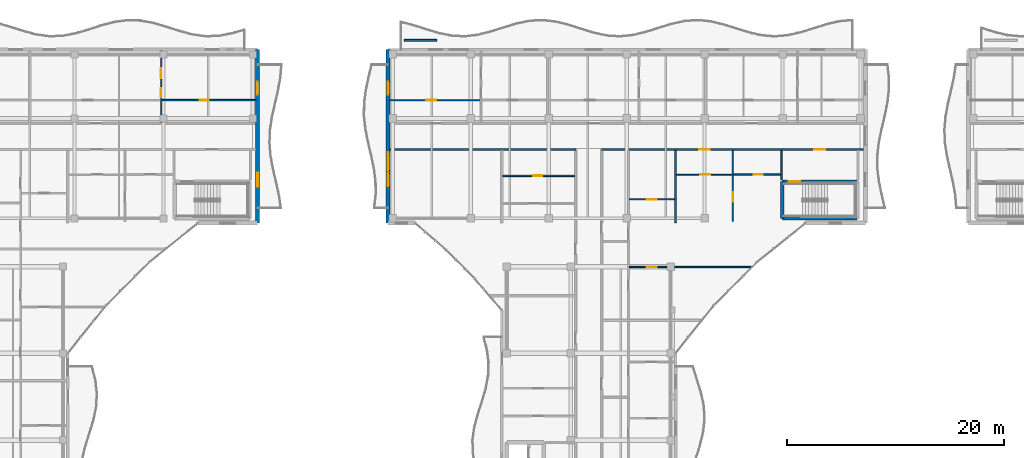
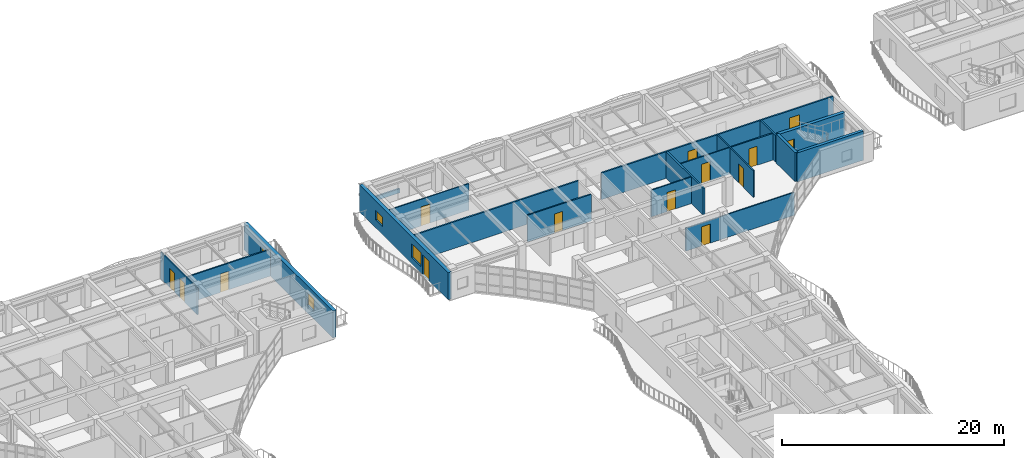
# One storey, part 93 of 128: 19 walls, 15 doors, 3 windows, 18 openings.
"""IFC4 building model written with IfcOpenShell, lengths in metres."""

import ifcopenshell
import ifcopenshell.guid

model = None  # the IFC model being written
_history = None  # IfcOwnerHistory: only IFC2X3 demands one
_inside = {}  # id of a spatial element -> (the spatial element, [elements in it])
_under = {}  # id of a project, library or spatial element -> (it, [spatial elements below it])
_declared = {}  # id of a project -> (the project, [libraries it declares])
_typed = {}  # id of a type object -> (the type object, [elements of that type])
_made_of = {}  # id of a material, layer set ... -> (it, [elements and type objects made of it])


def new_model(schema):
    """Start an empty IFC model of exactly this schema.

    Asked for "IFC4X3", IfcOpenShell would pick the latest addendum, in which some entities
    have other attributes; the version numbers below select the first issue.
    IFC2X3 requires an IfcOwnerHistory on every rooted entity: one is made here for all.
    """
    global model, _history
    if schema == "IFC4X3":
        model = ifcopenshell.file(schema_version=(4, 3, 0, 0))
    else:
        model = ifcopenshell.file(schema=schema)
    _inside.clear()
    _under.clear()
    _declared.clear()
    _typed.clear()
    _made_of.clear()
    _history = None
    if model.schema == "IFC2X3":
        org = make("IfcOrganization", Name="unknown")
        user = make(
            "IfcPersonAndOrganization",
            ThePerson=make("IfcPerson", FamilyName="unknown"),
            TheOrganization=org,
        )
        app = make(
            "IfcApplication",
            ApplicationDeveloper=org,
            Version="unknown",
            ApplicationFullName="unknown",
            ApplicationIdentifier="unknown",
        )
        _history = make(
            "IfcOwnerHistory",
            OwningUser=user,
            OwningApplication=app,
            ChangeAction="ADDED",
            CreationDate=0,
        )
    return model


def make(cls, **values):
    """One entity of the class cls with the attributes given. An attribute that is None is left unset."""
    return model.create_entity(
        cls, **{name: value for name, value in values.items() if value is not None}
    )


def rooted(cls, **values):
    """An entity with a GlobalId (a new one), such as an element, a storey or a relation."""
    return make(cls, GlobalId=ifcopenshell.guid.new(), OwnerHistory=_history, **values)


def si_unit(unit_type, name, prefix=None):
    """IfcSIUnit, for example si_unit("LENGTHUNIT", "METRE", prefix="MILLI")."""
    return make("IfcSIUnit", UnitType=unit_type, Prefix=prefix, Name=name)


def assignment(units):
    """IfcUnitAssignment: the units of a project."""
    return None if units is None else make("IfcUnitAssignment", Units=units)


def point(xyz):
    """IfcCartesianPoint."""
    return None if xyz is None else make("IfcCartesianPoint", Coordinates=xyz)


def direction(xyz):
    """IfcDirection."""
    return None if xyz is None else make("IfcDirection", DirectionRatios=xyz)


def frame(location, z_axis=None, x_axis=None):
    """IfcAxis2Placement3D, a coordinate frame: its origin and axes. An axis left out is left unset."""
    return make(
        "IfcAxis2Placement3D",
        Location=point(location),
        Axis=direction(z_axis),
        RefDirection=direction(x_axis),
    )


def frame_2d(location, x_axis=None):
    """IfcAxis2Placement2D, a coordinate frame in the plane: its origin and x axis."""
    return make(
        "IfcAxis2Placement2D", Location=point(location), RefDirection=direction(x_axis)
    )


def origin():
    """The frame at (0, 0, 0) with its axes left unset."""
    return frame((0.0, 0.0, 0.0))


def place(relative_to, where):
    """IfcLocalPlacement: puts the frame where relative to a parent placement (None: the world)."""
    return make(
        "IfcLocalPlacement", PlacementRelTo=relative_to, RelativePlacement=where
    )


def context(
    kind, dimensions, precision=None, world=None, true_north=None, identifier=None
):
    """IfcGeometricRepresentationContext, for example the 3D "Model" context."""
    return make(
        "IfcGeometricRepresentationContext",
        ContextIdentifier=identifier,
        ContextType=kind,
        CoordinateSpaceDimension=dimensions,
        Precision=precision,
        WorldCoordinateSystem=world,
        TrueNorth=true_north,
    )


def subcontext(parent, identifier, kind, view, scale=None):
    """IfcGeometricRepresentationSubContext, for example "Body" below "Model"."""
    return make(
        "IfcGeometricRepresentationSubContext",
        ContextIdentifier=identifier,
        ContextType=kind,
        ParentContext=parent,
        TargetScale=scale,
        TargetView=view,
    )


def project(units=None, contexts=None):
    """IfcProject with its units and contexts."""
    return rooted(
        "IfcProject",
        Name="project",
        RepresentationContexts=contexts,
        UnitsInContext=assignment(units),
    )


def spatial(cls, under=None, at=None, **own):
    """A site, building, storey or space (cls), placed at a placement, below another one or the project."""
    s = rooted(cls, ObjectPlacement=at, **own)
    if under is not None:
        _under.setdefault(under.id(), (under, []))[1].append(s)
    return s


def profile(cls, at=None, kind="AREA", **sizes):
    """A parametric profile (cls). Its sizes go by their IFC names, for example OverallWidth=200.0."""
    return make(cls, ProfileType=kind, Position=at, **sizes)


def rectangle(**sizes):
    """IfcRectangleProfileDef."""
    return profile("IfcRectangleProfileDef", **sizes)


def extrude(swept, where, along, depth):
    """IfcExtrudedAreaSolid: the profile swept, set in the frame where, extruded along a direction by depth."""
    return make(
        "IfcExtrudedAreaSolid",
        SweptArea=swept,
        Position=where,
        ExtrudedDirection=direction(along),
        Depth=depth,
    )


def shape(context_of_items, identifier, shape_type, items):
    """IfcShapeRepresentation: the items that make up one representation, for example the "Body"."""
    return make(
        "IfcShapeRepresentation",
        ContextOfItems=context_of_items,
        RepresentationIdentifier=identifier,
        RepresentationType=shape_type,
        Items=items,
    )


def material(Name=None, Category=None):
    """IfcMaterial."""
    return make("IfcMaterial", Name=Name, Category=Category)


def layer(
    of_material, thickness, ventilated=None, Name=None, Category=None, Priority=None
):
    """IfcMaterialLayer: one layer of a wall or slab, of a material (None: an air gap)."""
    return make(
        "IfcMaterialLayer",
        Material=of_material,
        LayerThickness=thickness,
        IsVentilated=ventilated,
        Name=Name,
        Category=Category,
        Priority=Priority,
    )


def layer_set(layers, Name=None):
    """IfcMaterialLayerSet."""
    return make("IfcMaterialLayerSet", MaterialLayers=layers, LayerSetName=Name)


def made_of(thing, what):
    """Note that an element or type object is made of a material, layer set ...; save() writes the relation."""
    if what is not None:
        _made_of.setdefault(what.id(), (what, []))[1].append(thing)
    return thing


def type_object(cls, material=None, **own):
    """A type object (cls), such as IfcWallType, which elements share."""
    return made_of(rooted(cls, **own), material)


def element(
    cls,
    number,
    at=None,
    inside=None,
    cuts=None,
    type_object=None,
    material=None,
    context=None,
    identifier="Body",
    shape_type=None,
    held_by="IfcProductDefinitionShape",
    body=None,
    shapes=None,
    **own,
):
    """One element of the class cls, such as IfcWall. Its Tag is "e" and its number.

    at: its placement. inside: the storey or other place that contains it. cuts: it is an
    opening in that element (IfcRelVoidsElement). A single representation is given by context,
    identifier, shape_type and body (its items); several are given by shapes. held_by: the class
    of the entity that holds the representations. save() writes the other relations.
    """
    e = rooted(cls, Tag="e%d" % number, ObjectPlacement=at, **own)
    if body is not None:
        shapes = [shape(context, identifier, shape_type, body)]
    if shapes is not None:
        e.Representation = make(held_by, Representations=shapes)
    if inside is not None:
        _inside.setdefault(inside.id(), (inside, []))[1].append(e)
    if cuts is not None:
        rooted(
            "IfcRelVoidsElement", RelatingBuildingElement=cuts, RelatedOpeningElement=e
        )
    if type_object is not None:
        _typed.setdefault(type_object.id(), (type_object, []))[1].append(e)
    return made_of(e, material)


def fill(opening, filler):
    """IfcRelFillsElement: the door or window that sits in an opening."""
    return rooted(
        "IfcRelFillsElement",
        RelatingOpeningElement=opening,
        RelatedBuildingElement=filler,
    )


def aggregate(whole, parts):
    """IfcRelAggregates: a whole, such as a stair, and the parts it consists of."""
    return rooted("IfcRelAggregates", RelatingObject=whole, RelatedObjects=parts)


def save(model, path):
    """Write the relations noted so far, then the file.

    IfcRelAggregates (storeys below a building ...), IfcRelContainedInSpatialStructure (elements
    in a storey), IfcRelDefinesByType, IfcRelAssociatesMaterial and IfcRelDeclares: one each for
    every whole, place, type object, material and project.
    """
    for whole, parts in _under.values():
        aggregate(whole, parts)
    for where, things in _inside.values():
        rooted(
            "IfcRelContainedInSpatialStructure",
            RelatedElements=things,
            RelatingStructure=where,
        )
    for kind, things in _typed.values():
        rooted("IfcRelDefinesByType", RelatedObjects=things, RelatingType=kind)
    for what, things in _made_of.values():
        rooted("IfcRelAssociatesMaterial", RelatedObjects=things, RelatingMaterial=what)
    for by, libraries in _declared.values():
        rooted("IfcRelDeclares", RelatingContext=by, RelatedDefinitions=libraries)
    model.write(path)


model = new_model("IFC4")

# Units and contexts
model_context = context("Model", 3, precision=1e-05, world=origin(), true_north=direction((0.0, 1.0)))
body_context = subcontext(model_context, "Body", "Model", "MODEL_VIEW")
ifc_project = project(units=[si_unit("LENGTHUNIT", "METRE"), si_unit("AREAUNIT", "SQUARE_METRE"), si_unit("VOLUMEUNIT", "CUBIC_METRE"), si_unit("PLANEANGLEUNIT", "RADIAN"), si_unit("MASSUNIT", "GRAM", prefix="KILO")], contexts=[model_context])

# Site, building, storey
site_placement = place(None, origin())
site = spatial("IfcSite", under=ifc_project, at=site_placement, CompositionType="ELEMENT")
building_placement = place(site_placement, origin())
building = spatial("IfcBuilding", under=site, at=building_placement, Name="Keldmere Railside Commons", CompositionType="ELEMENT")
storey_placement = place(building_placement, frame((0.0, 0.0, 4.159912109375)))
storey = spatial("IfcBuildingStorey", under=building, at=storey_placement, Name="L01", CompositionType="ELEMENT", Elevation=4.159912109375)

# Wall
ifc_material_1 = material(Name="Acoustic Gypsum Board Partition", Category="gypsum")
ifc_layer_1 = layer(ifc_material_1, 0.179931640625, Name="Acoustic Demising Partition 180")
ifc_layer_set_1 = layer_set([ifc_layer_1], Name="Acoustic Gypsum Board Partition")
wall_type_1 = type_object("IfcWallType", Name="Acoustic Demising Partition 180", PredefinedType="PARTITIONING", material=ifc_layer_set_1)
wall_1_placement = place(storey_placement, frame((120.0, 100.050048828125, 0.0), z_axis=(0.0, 0.0, 1.0), x_axis=(0.0, 1.0, 0.0)))
element("IfcWall", 1, at=wall_1_placement, inside=storey, type_object=wall_type_1, Name="IW-1 IW-L01-0925", PredefinedType="PARTITIONING", context=body_context, shape_type="SweptSolid", body=[
    extrude(rectangle(XDim=6.669921875, YDim=0.179931640625, at=frame_2d((3.3349609375, 0.0))), origin(), (0.0, 0.0, 1.0), 2.93505859375),
])

# Wall, openings, doors
ifc_layer_2 = layer(ifc_material_1, 0.1201171875, Name="Apartment Interior Partition 120")
ifc_layer_set_2 = layer_set([ifc_layer_2], Name="Acoustic Gypsum Board Partition")
wall_type_2 = type_object("IfcWallType", Name="Apartment Interior Partition 120", PredefinedType="PARTITIONING", material=ifc_layer_set_2)
wall_2_placement = place(storey_placement, frame((72.610107421875, 109.280029296875, 0.0), z_axis=(0.0, 0.0, 1.0), x_axis=(0.0, 1.0, 0.0)))
wall_2 = element("IfcWall", 2, at=wall_2_placement, inside=storey, type_object=wall_type_2, Name="IW-4 IW-L01-0536", PredefinedType="PARTITIONING", context=body_context, shape_type="SweptSolid", body=[
    extrude(rectangle(XDim=6.590087890625, YDim=0.1201171875, at=frame_2d((3.294921875, 0.0))), origin(), (0.0, 0.0, 1.0), 2.93505859375),
])
opening_1_placement = place(wall_2_placement, frame((2.305908203125, 0.0, 0.0)))
opening_1 = element("IfcOpeningElement", 3, at=opening_1_placement, cuts=wall_2, Name="Opening ID-04", PredefinedType="OPENING", context=body_context, shape_type="SweptSolid", body=[
    extrude(rectangle(XDim=0.860107421875, YDim=2.10009765625, at=frame_2d((0.43017578125, 1.050048828125))), frame((0.0, 0.070068359375, 0.0), z_axis=(0.0, -1.0, 0.0), x_axis=(1.0, 0.0, 0.0)), (0.0, 0.0, 1.0), 0.14013671875),
])
opening_2_placement = place(wall_2_placement, frame((4.093017578125, 0.0, 0.0)))
opening_2 = element("IfcOpeningElement", 4, at=opening_2_placement, cuts=wall_2, Name="Opening ID-01", PredefinedType="OPENING", context=body_context, shape_type="SweptSolid", body=[
    extrude(rectangle(XDim=0.89990234375, YDim=2.10009765625, at=frame_2d((0.449951171875, 1.050048828125))), frame((0.0, 0.070068359375, 0.0), z_axis=(0.0, -1.0, 0.0), x_axis=(1.0, 0.0, 0.0)), (0.0, 0.0, 1.0), 0.14013671875),
])
ifc_material_2 = material(Name="Engineered Oak Timber", Category="wood")
door_type_1 = type_object("IfcDoorType", Name="Apartment Bathroom Door 860x2100", OperationType="NOTDEFINED", PredefinedType="DOOR", material=ifc_material_2)
door_1_placement = place(opening_1_placement, origin())
door_1 = element("IfcDoor", 5, at=door_1_placement, inside=storey, type_object=door_type_1, Name="ID-04 IDR-L01-0431", OperationType="SINGLE_SWING_LEFT", OverallHeight=2.10009765625, OverallWidth=0.860107421875, PredefinedType="DOOR", context=body_context, shape_type="SweptSolid", body=[
    extrude(rectangle(XDim=0.860107421875, YDim=2.10009765625, at=frame_2d((0.43017578125, 1.050048828125))), frame((0.0, 0.02490234375, 0.0), z_axis=(0.0, -1.0, 0.0), x_axis=(1.0, 0.0, 0.0)), (0.0, 0.0, 1.0), 0.050048828125),
])
fill(opening_1, door_1)
door_type_2 = type_object("IfcDoorType", Name="Primary Bedroom Door 900x2100", OperationType="NOTDEFINED", PredefinedType="DOOR", material=ifc_material_2)
door_2_placement = place(opening_2_placement, origin())
door_2 = element("IfcDoor", 6, at=door_2_placement, inside=storey, type_object=door_type_2, Name="ID-01 IDR-L01-0432", OperationType="SINGLE_SWING_RIGHT", OverallHeight=2.10009765625, OverallWidth=0.89990234375, PredefinedType="DOOR", context=body_context, shape_type="SweptSolid", body=[
    extrude(rectangle(XDim=0.89990234375, YDim=2.10009765625, at=frame_2d((0.449951171875, 1.050048828125))), frame((0.0, 0.02490234375, 0.0), z_axis=(0.0, -1.0, 0.0), x_axis=(1.0, 0.0, 0.0)), (0.0, 0.0, 1.0), 0.050048828125),
])
fill(opening_2, door_2)

# Wall, opening, door
wall_3_placement = place(storey_placement, frame((115.719970703125, 95.969970703125, 0.0), z_axis=(0.0, 0.0, 1.0), x_axis=(1.0, 0.0, 0.0)))
wall_3 = element("IfcWall", 7, at=wall_3_placement, inside=storey, type_object=wall_type_2, Name="IW-4 IW-L01-0941", PredefinedType="PARTITIONING", context=body_context, shape_type="SweptSolid", body=[
    extrude(rectangle(XDim=11.3173828125, YDim=0.1201171875, at=frame_2d((5.65869140625, 0.0))), origin(), (0.0, 0.0, 1.0), 2.530029296875),
])
opening_3_placement = place(wall_3_placement, frame((1.64501953125, 0.0, 0.0)))
opening_3 = element("IfcOpeningElement", 8, at=opening_3_placement, cuts=wall_3, Name="Opening ID-01", PredefinedType="OPENING", context=body_context, shape_type="SweptSolid", body=[
    extrude(rectangle(XDim=0.89990234375, YDim=2.10009765625, at=frame_2d((0.449951171875, 1.050048828125))), frame((0.0, 0.070068359375, 0.0), z_axis=(0.0, -1.0, 0.0), x_axis=(1.0, 0.0, 0.0)), (0.0, 0.0, 1.0), 0.14013671875),
])
door_3_placement = place(opening_3_placement, origin())
door_3 = element("IfcDoor", 9, at=door_3_placement, inside=storey, type_object=door_type_2, Name="ID-01 IDR-L01-0812", OperationType="SINGLE_SWING_RIGHT", OverallHeight=2.10009765625, OverallWidth=0.89990234375, PredefinedType="DOOR", context=body_context, shape_type="SweptSolid", body=[
    extrude(rectangle(XDim=0.89990234375, YDim=2.10009765625, at=frame_2d((0.449951171875, 1.050048828125))), frame((0.0, 0.02490234375, 0.0), z_axis=(0.0, -1.0, 0.0), x_axis=(1.0, 0.0, 0.0)), (0.0, 0.0, 1.0), 0.050048828125),
])
fill(opening_3, door_3)

wall_4_placement = place(storey_placement, frame((115.719970703125, 102.199951171875, 0.0), z_axis=(0.0, 0.0, 1.0), x_axis=(1.0, 0.0, 0.0)))
wall_4 = element("IfcWall", 10, at=wall_4_placement, inside=storey, type_object=wall_type_2, Name="IW-4 IW-L01-0942", PredefinedType="PARTITIONING", context=body_context, shape_type="SweptSolid", body=[
    extrude(rectangle(XDim=4.18994140625, YDim=0.1201171875, at=frame_2d((2.094970703125, 0.0))), origin(), (0.0, 0.0, 1.0), 2.93505859375),
])
opening_4_placement = place(wall_4_placement, frame((1.655029296875, 0.0, 0.0)))
opening_4 = element("IfcOpeningElement", 11, at=opening_4_placement, cuts=wall_4, Name="Opening ID-02", PredefinedType="OPENING", context=body_context, shape_type="SweptSolid", body=[
    extrude(rectangle(XDim=0.8798828125, YDim=2.10009765625, at=frame_2d((0.43994140625, 1.050048828125))), frame((0.0, 0.070068359375, 0.0), z_axis=(0.0, -1.0, 0.0), x_axis=(1.0, 0.0, 0.0)), (0.0, 0.0, 1.0), 0.14013671875),
])
door_type_3 = type_object("IfcDoorType", Name="Secondary Bedroom Door 880x2100", OperationType="NOTDEFINED", PredefinedType="DOOR", material=ifc_material_2)
door_4_placement = place(opening_4_placement, origin())
door_4 = element("IfcDoor", 12, at=door_4_placement, inside=storey, type_object=door_type_3, Name="ID-02 IDR-L01-0813", OperationType="SINGLE_SWING_LEFT", OverallHeight=2.10009765625, OverallWidth=0.8798828125, PredefinedType="DOOR", context=body_context, shape_type="SweptSolid", body=[
    extrude(rectangle(XDim=0.8798828125, YDim=2.10009765625, at=frame_2d((0.43994140625, 1.050048828125))), frame((0.0, 0.02490234375, 0.0), z_axis=(0.0, -1.0, 0.0), x_axis=(1.0, 0.0, 0.0)), (0.0, 0.0, 1.0), 0.050048828125),
])
fill(opening_4, door_4)

wall_5_placement = place(storey_placement, frame((125.280029296875, 100.179931640625, 0.0), z_axis=(0.0, 0.0, 1.0), x_axis=(0.0, 1.0, 0.0)))
wall_5 = element("IfcWall", 13, at=wall_5_placement, inside=storey, type_object=wall_type_2, Name="IW-4 IW-L01-0954", PredefinedType="PARTITIONING", context=body_context, shape_type="SweptSolid", body=[
    extrude(rectangle(XDim=6.5400390625, YDim=0.1201171875, at=frame_2d((3.27001953125, 0.0))), origin(), (0.0, 0.0, 1.0), 2.93505859375),
])
opening_5_placement = place(wall_5_placement, frame((1.8017578125, 0.0, 0.0)))
opening_5 = element("IfcOpeningElement", 14, at=opening_5_placement, cuts=wall_5, Name="Opening ID-02", PredefinedType="OPENING", context=body_context, shape_type="SweptSolid", body=[
    extrude(rectangle(XDim=0.8798828125, YDim=2.10009765625, at=frame_2d((0.43994140625, 1.050048828125))), frame((0.0, 0.070068359375, 0.0), z_axis=(0.0, -1.0, 0.0), x_axis=(1.0, 0.0, 0.0)), (0.0, 0.0, 1.0), 0.14013671875),
])
door_5_placement = place(opening_5_placement, origin())
door_5 = element("IfcDoor", 15, at=door_5_placement, inside=storey, type_object=door_type_3, Name="ID-02 IDR-L01-0831", OperationType="SINGLE_SWING_LEFT", OverallHeight=2.10009765625, OverallWidth=0.8798828125, PredefinedType="DOOR", context=body_context, shape_type="SweptSolid", body=[
    extrude(rectangle(XDim=0.8798828125, YDim=2.10009765625, at=frame_2d((0.43994140625, 1.050048828125))), frame((0.0, 0.02490234375, 0.0), z_axis=(0.0, -1.0, 0.0), x_axis=(1.0, 0.0, 0.0)), (0.0, 0.0, 1.0), 0.050048828125),
])
fill(opening_5, door_5)

# Wall
ifc_material_3 = material(Name="White Precast Concrete H-35 (C35/45)", Category="concrete")
ifc_layer_3 = layer(ifc_material_3, 0.169921875, Name="Balcony Planter Kerb Wall 170")
ifc_layer_set_3 = layer_set([ifc_layer_3], Name="White Precast Concrete H-35 (C35/45)")
wall_type_3 = type_object("IfcWallType", Name="Balcony Planter Kerb Wall 170", PredefinedType="PARAPET", material=ifc_layer_set_3)
wall_6_placement = place(storey_placement, frame((95.0, 116.85009765625, 0.0), z_axis=(0.0, 0.0, 1.0), x_axis=(1.0, 0.0, 0.0)))
element("IfcWall", 16, at=wall_6_placement, inside=storey, type_object=wall_type_3, Name="PW-2 PKBB-L01-0592", PredefinedType="PARAPET", context=body_context, shape_type="SweptSolid", body=[
    extrude(rectangle(XDim=3.0, YDim=0.169921875, at=frame_2d((1.5, 0.0))), origin(), (0.0, 0.0, 1.0), 0.4501953125),
])

# Wall, opening, door
ifc_layer_4 = layer(ifc_material_1, 0.10009765625, Name="Closet Light Partition 100")
ifc_layer_set_4 = layer_set([ifc_layer_4], Name="Acoustic Gypsum Board Partition")
wall_type_4 = type_object("IfcWallType", Name="Closet Light Partition 100", PredefinedType="PARTITIONING", material=ifc_layer_set_4)
wall_7_placement = place(storey_placement, frame((93.679931640625, 111.330078125, 0.0), z_axis=(0.0, 0.0, 1.0), x_axis=(1.0, 0.0, 0.0)))
wall_7 = element("IfcWall", 17, at=wall_7_placement, inside=storey, type_object=wall_type_4, Name="IW-6 IW-L01-0947", PredefinedType="PARTITIONING", context=body_context, shape_type="SweptSolid", body=[
    extrude(rectangle(XDim=8.330078125, YDim=0.10009765625, at=frame_2d((4.1650390625, 0.0))), origin(), (0.0, 0.0, 1.0), 2.93505859375),
])
opening_6_placement = place(wall_7_placement, frame((3.35595703125, 0.0, 0.0)))
opening_6 = element("IfcOpeningElement", 18, at=opening_6_placement, cuts=wall_7, Name="Opening ID-03", PredefinedType="OPENING", context=body_context, shape_type="SweptSolid", body=[
    extrude(rectangle(XDim=0.919921875, YDim=2.10009765625, at=frame_2d((0.4599609375, 1.050048828125))), frame((0.0, 0.06005859375, 0.0), z_axis=(0.0, -1.0, 0.0), x_axis=(1.0, 0.0, 0.0)), (0.0, 0.0, 1.0), 0.1201171875),
])
door_type_4 = type_object("IfcDoorType", Name="Kitchen Pocket-Frame Swing Door 920x2100", OperationType="NOTDEFINED", PredefinedType="DOOR", material=ifc_material_2)
door_6_placement = place(opening_6_placement, origin())
door_6 = element("IfcDoor", 19, at=door_6_placement, inside=storey, type_object=door_type_4, Name="ID-03 IDR-L01-0815", OperationType="SINGLE_SWING_LEFT", OverallHeight=2.10009765625, OverallWidth=0.919921875, PredefinedType="DOOR", context=body_context, shape_type="SweptSolid", body=[
    extrude(rectangle(XDim=0.919921875, YDim=2.10009765625, at=frame_2d((0.4599609375, 1.050048828125))), frame((0.0, 0.02490234375, 0.0), z_axis=(0.0, -1.0, 0.0), x_axis=(1.0, 0.0, 0.0)), (0.0, 0.0, 1.0), 0.050048828125),
])
fill(opening_6, door_6)

wall_8_placement = place(storey_placement, frame((120.090087890625, 104.469970703125, 0.0), z_axis=(0.0, 0.0, 1.0), x_axis=(1.0, 0.0, 0.0)))
wall_8 = element("IfcWall", 20, at=wall_8_placement, inside=storey, type_object=wall_type_4, Name="IW-6 IW-L01-0956", PredefinedType="PARTITIONING", context=body_context, shape_type="SweptSolid", body=[
    extrude(rectangle(XDim=5.1298828125, YDim=0.10009765625, at=frame_2d((2.56494140625, 0.0))), origin(), (0.0, 0.0, 1.0), 2.93505859375),
])
opening_7_placement = place(wall_8_placement, frame((2.1796875, 0.0, 0.0)))
opening_7 = element("IfcOpeningElement", 21, at=opening_7_placement, cuts=wall_8, Name="Opening ID-03", PredefinedType="OPENING", context=body_context, shape_type="SweptSolid", body=[
    extrude(rectangle(XDim=0.919921875, YDim=2.10009765625, at=frame_2d((0.4599609375, 1.050048828125))), frame((0.0, 0.06005859375, 0.0), z_axis=(0.0, -1.0, 0.0), x_axis=(1.0, 0.0, 0.0)), (0.0, 0.0, 1.0), 0.1201171875),
])
door_7_placement = place(opening_7_placement, origin())
door_7 = element("IfcDoor", 22, at=door_7_placement, inside=storey, type_object=door_type_4, Name="ID-03 IDR-L01-0830", OperationType="SINGLE_SWING_RIGHT", OverallHeight=2.10009765625, OverallWidth=0.919921875, PredefinedType="DOOR", context=body_context, shape_type="SweptSolid", body=[
    extrude(rectangle(XDim=0.919921875, YDim=2.10009765625, at=frame_2d((0.4599609375, 1.050048828125))), frame((0.0, 0.02490234375, 0.0), z_axis=(0.0, -1.0, 0.0), x_axis=(1.0, 0.0, 0.0)), (0.0, 0.0, 1.0), 0.050048828125),
])
fill(opening_7, door_7)

# Wall
ifc_layer_5 = layer(ifc_material_1, 0.159912109375, Name="Corridor Fire Partition 160")
ifc_layer_set_5 = layer_set([ifc_layer_5], Name="Acoustic Gypsum Board Partition")
wall_type_5 = type_object("IfcWallType", Name="Corridor Fire Partition 160", PredefinedType="PARTITIONING", material=ifc_layer_set_5)
wall_9_placement = place(storey_placement, frame((93.679931640625, 106.800048828125, 0.0), z_axis=(0.0, 0.0, 1.0), x_axis=(1.0, 0.0, 0.0)))
element("IfcWall", 23, at=wall_9_placement, inside=storey, type_object=wall_type_5, Name="IW-2 IW-L01-0922", PredefinedType="PARTITIONING", context=body_context, shape_type="SweptSolid", body=[
    extrude(rectangle(XDim=17.1201171875, YDim=0.159912109375, at=frame_2d((8.56005859375, 0.0))), origin(), (0.0, 0.0, 1.0), 2.93505859375),
])

# Wall, openings, doors
wall_10_placement = place(storey_placement, frame((113.199951171875, 106.800048828125, 0.0), z_axis=(0.0, 0.0, 1.0), x_axis=(1.0, 0.0, 0.0)))
wall_10 = element("IfcWall", 24, at=wall_10_placement, inside=storey, type_object=wall_type_5, Name="IW-2 IW-L01-0923", PredefinedType="PARTITIONING", context=body_context, shape_type="SweptSolid", body=[
    extrude(rectangle(XDim=24.1201171875, YDim=0.159912109375, at=frame_2d((12.06005859375, 0.0))), origin(), (0.0, 0.0, 1.0), 2.93505859375),
])
opening_8_placement = place(wall_10_placement, frame((19.574951171875, 0.0, 0.0)))
opening_8 = element("IfcOpeningElement", 25, at=opening_8_placement, cuts=wall_10, Name="Opening FD-1", PredefinedType="OPENING", context=body_context, shape_type="SweptSolid", body=[
    extrude(rectangle(XDim=1.050048828125, YDim=2.14990234375, at=frame_2d((0.52490234375, 1.074951171875))), frame((0.0, 0.08984375, 0.0), z_axis=(0.0, -1.0, 0.0), x_axis=(1.0, 0.0, 0.0)), (0.0, 0.0, 1.0), 0.179931640625),
])
opening_9_placement = place(wall_10_placement, frame((8.9951171875, 0.0, 0.0)))
opening_9 = element("IfcOpeningElement", 26, at=opening_9_placement, cuts=wall_10, Name="Opening FD-7", PredefinedType="OPENING", context=body_context, shape_type="SweptSolid", body=[
    extrude(rectangle(XDim=0.97998046875, YDim=2.14990234375, at=frame_2d((0.489990234375, 1.074951171875))), frame((0.0, 0.08984375, 0.0), z_axis=(0.0, -1.0, 0.0), x_axis=(1.0, 0.0, 0.0)), (0.0, 0.0, 1.0), 0.179931640625),
])
door_type_5 = type_object("IfcDoorType", Name="Apartment Entrance Acoustic Fire Door 980x2150", OperationType="NOTDEFINED", PredefinedType="DOOR", material=ifc_material_2)
door_8_placement = place(opening_9_placement, origin())
door_8 = element("IfcDoor", 27, at=door_8_placement, inside=storey, type_object=door_type_5, Name="FD-7 IDR-L01-0829", OperationType="SINGLE_SWING_LEFT", OverallHeight=2.14990234375, OverallWidth=0.97998046875, PredefinedType="DOOR", context=body_context, shape_type="SweptSolid", body=[
    extrude(rectangle(XDim=0.97998046875, YDim=2.14990234375, at=frame_2d((0.489990234375, 1.074951171875))), frame((0.0, 0.02490234375, 0.0), z_axis=(0.0, -1.0, 0.0), x_axis=(1.0, 0.0, 0.0)), (0.0, 0.0, 1.0), 0.050048828125),
])
fill(opening_9, door_8)
ifc_material_4 = material(Name="Steel F-24 (S235)", Category="steel")
door_type_6 = type_object("IfcDoorType", Name="Stair Core Fire Door 1050x2150", OperationType="NOTDEFINED", PredefinedType="DOOR", material=ifc_material_4)
door_9_placement = place(opening_8_placement, origin())
door_9 = element("IfcDoor", 28, at=door_9_placement, inside=storey, type_object=door_type_6, Name="FD-1 IDR-L01-0796", OperationType="SINGLE_SWING_RIGHT", OverallHeight=2.14990234375, OverallWidth=1.050048828125, PredefinedType="DOOR", context=body_context, shape_type="SweptSolid", body=[
    extrude(rectangle(XDim=1.050048828125, YDim=2.14990234375, at=frame_2d((0.52490234375, 1.074951171875))), frame((0.0, 0.02490234375, 0.0), z_axis=(0.0, -1.0, 0.0), x_axis=(1.0, 0.0, 0.0)), (0.0, 0.0, 1.0), 0.050048828125),
])
fill(opening_8, door_9)

# Wall, openings, door, window
ifc_material_5 = material(Name="Concrete H-35 (C35/45)", Category="concrete")
ifc_layer_6 = layer(ifc_material_5, 0.360107421875, Name="Exterior Shear Wall 360")
ifc_layer_set_6 = layer_set([ifc_layer_6], Name="Concrete H-35 (C35/45)")
wall_type_6 = type_object("IfcWallType", Name="Exterior Shear Wall 360", PredefinedType="SHEAR", material=ifc_layer_set_6)
wall_11_placement = place(storey_placement, frame((81.5, 116.0, 0.0), z_axis=(0.0, 0.0, 1.0), x_axis=(0.0, -1.0, 0.0)))
wall_11 = element("IfcWall", 29, at=wall_11_placement, inside=storey, type_object=wall_type_6, Name="ESW-1 EXTC-L01-0329", PredefinedType="SHEAR", context=body_context, shape_type="SweptSolid", body=[
    extrude(rectangle(XDim=16.0, YDim=0.360107421875, at=frame_2d((8.0, 0.0))), origin(), (0.0, 0.0, 1.0), 2.97998046875),
])
opening_10_placement = place(wall_11_placement, frame((2.949951171875, 0.0, 0.0)))
opening_10 = element("IfcOpeningElement", 30, at=opening_10_placement, cuts=wall_11, Name="Opening BD-01", PredefinedType="OPENING", context=body_context, shape_type="SweptSolid", body=[
    extrude(rectangle(XDim=1.199951171875, YDim=2.199951171875, at=frame_2d((0.60009765625, 1.10009765625))), frame((0.0, 0.18994140625, 0.0), z_axis=(0.0, -1.0, 0.0), x_axis=(1.0, 0.0, 0.0)), (0.0, 0.0, 1.0), 0.380126953125),
])
opening_11_placement = place(wall_11_placement, frame((11.375, 0.0, 0.8701171875)))
opening_11 = element("IfcOpeningElement", 31, at=opening_11_placement, cuts=wall_11, Name="Opening WN-09", PredefinedType="OPENING", context=body_context, shape_type="SweptSolid", body=[
    extrude(rectangle(XDim=1.25, YDim=1.35009765625, at=frame_2d((0.625, 0.675048828125))), frame((0.0, 0.18994140625, 0.0), z_axis=(0.0, -1.0, 0.0), x_axis=(1.0, 0.0, 0.0)), (0.0, 0.0, 1.0), 0.380126953125),
])
ifc_material_6 = material(Name="Thermally Broken Aluminium", Category="aluminium")
door_type_7 = type_object("IfcDoorType", Name="Apartment Living Wave-Balcony Glazed Door 1200x2200", OperationType="NOTDEFINED", PredefinedType="DOOR", material=ifc_material_6)
door_10_placement = place(opening_10_placement, origin())
door_10 = element("IfcDoor", 32, at=door_10_placement, inside=storey, type_object=door_type_7, Name="BD-01 DR-L01-0055", OperationType="SINGLE_SWING_LEFT", OverallHeight=2.199951171875, OverallWidth=1.199951171875, PredefinedType="DOOR", context=body_context, shape_type="SweptSolid", body=[
    extrude(rectangle(XDim=1.199951171875, YDim=2.199951171875, at=frame_2d((0.60009765625, 1.10009765625))), frame((0.0, 0.02490234375, 0.0), z_axis=(0.0, -1.0, 0.0), x_axis=(1.0, 0.0, 0.0)), (0.0, 0.0, 1.0), 0.050048828125),
])
fill(opening_10, door_10)
ifc_material_7 = material(Name="Low-E Insulated Double Glazing", Category="glass")
window_type_1 = type_object("IfcWindowType", Name="Secondary Bedroom Window 1250x1350", PartitioningType="SINGLE_PANEL", PredefinedType="WINDOW", material=ifc_material_7)
window_1_placement = place(opening_11_placement, origin())
window_1 = element("IfcWindow", 33, at=window_1_placement, inside=storey, type_object=window_type_1, Name="WN-09 WIN-L01-0179", OverallHeight=1.35009765625, OverallWidth=1.25, PartitioningType="SINGLE_PANEL", PredefinedType="WINDOW", context=body_context, shape_type="SweptSolid", body=[
    extrude(rectangle(XDim=1.25, YDim=1.35009765625, at=frame_2d((0.625, 0.675048828125))), frame((0.0, 0.030029296875, 0.0), z_axis=(0.0, -1.0, 0.0), x_axis=(1.0, 0.0, 0.0)), (0.0, 0.0, 1.0), 0.06005859375),
])
fill(opening_11, window_1)

# Wall, openings, windows, door
wall_12_placement = place(storey_placement, frame((93.5, 100.0, 0.0), z_axis=(0.0, 0.0, 1.0), x_axis=(0.0, 1.0, 0.0)))
wall_12 = element("IfcWall", 34, at=wall_12_placement, inside=storey, type_object=wall_type_6, Name="ESW-1 EXTB-L01-0589", PredefinedType="SHEAR", context=body_context, shape_type="SweptSolid", body=[
    extrude(rectangle(XDim=16.0, YDim=0.360107421875, at=frame_2d((8.0, 0.0))), origin(), (0.0, 0.0, 1.0), 2.97998046875),
])
opening_12_placement = place(wall_12_placement, frame((3.39990234375, 0.0, 0.0)))
opening_12 = element("IfcOpeningElement", 35, at=opening_12_placement, cuts=wall_12, Name="Opening BD-01", PredefinedType="OPENING", context=body_context, shape_type="SweptSolid", body=[
    extrude(rectangle(XDim=1.199951171875, YDim=2.199951171875, at=frame_2d((0.60009765625, 1.10009765625))), frame((0.0, 0.18994140625, 0.0), z_axis=(0.0, -1.0, 0.0), x_axis=(1.0, 0.0, 0.0)), (0.0, 0.0, 1.0), 0.380126953125),
])
opening_13_placement = place(wall_12_placement, frame((4.85009765625, 0.0, 0.719970703125)))
opening_13 = element("IfcOpeningElement", 36, at=opening_13_placement, cuts=wall_12, Name="Opening WN-20", PredefinedType="OPENING", context=body_context, shape_type="SweptSolid", body=[
    extrude(rectangle(XDim=1.699951171875, YDim=1.5, at=frame_2d((0.85009765625, 0.75))), frame((0.0, 0.18994140625, 0.0), z_axis=(0.0, -1.0, 0.0), x_axis=(1.0, 0.0, 0.0)), (0.0, 0.0, 1.0), 0.380126953125),
])
opening_14_placement = place(wall_12_placement, frame((11.85009765625, 0.0, 0.89990234375)))
opening_14 = element("IfcOpeningElement", 37, at=opening_14_placement, cuts=wall_12, Name="Opening WN-14", PredefinedType="OPENING", context=body_context, shape_type="SweptSolid", body=[
    extrude(rectangle(XDim=1.199951171875, YDim=1.050048828125, at=frame_2d((0.60009765625, 0.52490234375))), frame((0.0, 0.18994140625, 0.0), z_axis=(0.0, -1.0, 0.0), x_axis=(1.0, 0.0, 0.0)), (0.0, 0.0, 1.0), 0.380126953125),
])
window_type_2 = type_object("IfcWindowType", Name="Apartment Kitchen Ribbon Window 1200x1050", PartitioningType="SINGLE_PANEL", PredefinedType="WINDOW", material=ifc_material_7)
window_2_placement = place(opening_14_placement, origin())
window_2 = element("IfcWindow", 38, at=window_2_placement, inside=storey, type_object=window_type_2, Name="WN-14 WIN-L01-0376", OverallHeight=1.050048828125, OverallWidth=1.199951171875, PartitioningType="SINGLE_PANEL", PredefinedType="WINDOW", context=body_context, shape_type="SweptSolid", body=[
    extrude(rectangle(XDim=1.199951171875, YDim=1.050048828125, at=frame_2d((0.60009765625, 0.52490234375))), frame((0.0, 0.030029296875, 0.0), z_axis=(0.0, -1.0, 0.0), x_axis=(1.0, 0.0, 0.0)), (0.0, 0.0, 1.0), 0.06005859375),
])
fill(opening_14, window_2)
door_11_placement = place(opening_12_placement, origin())
door_11 = element("IfcDoor", 39, at=door_11_placement, inside=storey, type_object=door_type_7, Name="BD-01 DR-L01-0134", OperationType="SINGLE_SWING_RIGHT", OverallHeight=2.199951171875, OverallWidth=1.199951171875, PredefinedType="DOOR", context=body_context, shape_type="SweptSolid", body=[
    extrude(rectangle(XDim=1.199951171875, YDim=2.199951171875, at=frame_2d((0.60009765625, 1.10009765625))), frame((0.0, 0.02490234375, 0.0), z_axis=(0.0, -1.0, 0.0), x_axis=(1.0, 0.0, 0.0)), (0.0, 0.0, 1.0), 0.050048828125),
])
fill(opening_12, door_11)
window_type_3 = type_object("IfcWindowType", Name="Study Room Quiet Casement Window 1700x1500", PartitioningType="SINGLE_PANEL", PredefinedType="WINDOW", material=ifc_material_7)
window_3_placement = place(opening_13_placement, origin())
window_3 = element("IfcWindow", 40, at=window_3_placement, inside=storey, type_object=window_type_3, Name="WN-20 WIN-L01-0375", OverallHeight=1.5, OverallWidth=1.699951171875, PartitioningType="SINGLE_PANEL", PredefinedType="WINDOW", context=body_context, shape_type="SweptSolid", body=[
    extrude(rectangle(XDim=1.699951171875, YDim=1.5, at=frame_2d((0.85009765625, 0.75))), frame((0.0, 0.030029296875, 0.0), z_axis=(0.0, -1.0, 0.0), x_axis=(1.0, 0.0, 0.0)), (0.0, 0.0, 1.0), 0.06005859375),
])
fill(opening_13, window_3)

# Walls
ifc_layer_7 = layer(ifc_material_5, 0.300048828125, Name="Interior Shear Wall 300")
ifc_layer_set_7 = layer_set([ifc_layer_7], Name="Concrete H-35 (C35/45)")
wall_type_7 = type_object("IfcWallType", Name="Interior Shear Wall 300", PredefinedType="SHEAR", material=ifc_layer_set_7)
wall_13_placement = place(storey_placement, frame((129.85009765625, 100.449951171875, 0.0), z_axis=(0.0, 0.0, 1.0), x_axis=(1.0, 0.0, 0.0)))
element("IfcWall", 41, at=wall_13_placement, inside=storey, type_object=wall_type_7, Name="ISW-2 COREB2S-L01-0452", PredefinedType="SHEAR", context=body_context, shape_type="SweptSolid", body=[
    extrude(rectangle(XDim=6.89990234375, YDim=0.300048828125, at=frame_2d((3.449951171875, 0.0))), origin(), (0.0, 0.0, 1.0), 3.2001953125),
])
wall_14_placement = place(storey_placement, frame((129.85009765625, 103.820068359375, 0.0), z_axis=(0.0, 0.0, 1.0), x_axis=(0.0, -1.0, 0.0)))
element("IfcWall", 42, at=wall_14_placement, inside=storey, type_object=wall_type_7, Name="ISW-2 COREB2W-L01-0454", PredefinedType="SHEAR", context=body_context, shape_type="SweptSolid", body=[
    extrude(rectangle(XDim=3.3701171875, YDim=0.300048828125, at=frame_2d((1.68505859375, 0.0))), origin(), (0.0, 0.0, 1.0), 3.2001953125),
])

# Wall, opening, door
ifc_layer_8 = layer(ifc_material_5, 0.340087890625, Name="Interior Shear Wall 340")
ifc_layer_set_8 = layer_set([ifc_layer_8], Name="Concrete H-35 (C35/45)")
wall_type_8 = type_object("IfcWallType", Name="Interior Shear Wall 340", PredefinedType="SHEAR", material=ifc_layer_set_8)
wall_15_placement = place(storey_placement, frame((136.75, 103.820068359375, 0.0), z_axis=(0.0, 0.0, 1.0), x_axis=(-1.0, 0.0, 0.0)))
wall_15 = element("IfcWall", 43, at=wall_15_placement, inside=storey, type_object=wall_type_8, Name="ISW-1 COREB2N-L01-0453", PredefinedType="SHEAR", context=body_context, shape_type="SweptSolid", body=[
    extrude(rectangle(XDim=6.89990234375, YDim=0.340087890625, at=frame_2d((3.449951171875, 0.0))), origin(), (0.0, 0.0, 1.0), 3.2001953125),
])
opening_15_placement = place(wall_15_placement, frame((5.25, 0.0, 0.0)))
opening_15 = element("IfcOpeningElement", 44, at=opening_15_placement, cuts=wall_15, Name="Opening FD-1", PredefinedType="OPENING", context=body_context, shape_type="SweptSolid", body=[
    extrude(rectangle(XDim=1.050048828125, YDim=2.14990234375, at=frame_2d((0.52490234375, 1.074951171875))), frame((0.0, 0.179931640625, 0.0), z_axis=(0.0, -1.0, 0.0), x_axis=(1.0, 0.0, 0.0)), (0.0, 0.0, 1.0), 0.360107421875),
])
door_12_placement = place(opening_15_placement, origin())
door_12 = element("IfcDoor", 45, at=door_12_placement, inside=storey, type_object=door_type_6, Name="FD-1 B2 L01", OperationType="SINGLE_SWING_RIGHT", OverallHeight=2.14990234375, OverallWidth=1.050048828125, PredefinedType="DOOR", context=body_context, shape_type="SweptSolid", body=[
    extrude(rectangle(XDim=1.050048828125, YDim=2.14990234375, at=frame_2d((0.52490234375, 1.074951171875))), frame((0.0, 0.02490234375, 0.0), z_axis=(0.0, -1.0, 0.0), x_axis=(1.0, 0.0, 0.0)), (0.0, 0.0, 1.0), 0.050048828125),
])
fill(opening_15, door_12)

# Wall
ifc_layer_9 = layer(ifc_material_1, 0.14990234375, Name="Lobby Rated Partition 150")
ifc_layer_set_9 = layer_set([ifc_layer_9], Name="Acoustic Gypsum Board Partition")
wall_type_9 = type_object("IfcWallType", Name="Lobby Rated Partition 150", PredefinedType="PARTITIONING", material=ifc_layer_set_9)
wall_16_placement = place(storey_placement, frame((129.780029296875, 103.989990234375, 0.0), z_axis=(0.0, 0.0, 1.0), x_axis=(0.0, 1.0, 0.0)))
element("IfcWall", 46, at=wall_16_placement, inside=storey, type_object=wall_type_9, Name="IW-3 IW-L01-0927", PredefinedType="PARTITIONING", context=body_context, shape_type="SweptSolid", body=[
    extrude(rectangle(XDim=2.72998046875, YDim=0.14990234375, at=frame_2d((1.364990234375, 0.0))), origin(), (0.0, 0.0, 1.0), 2.93505859375),
])

# Wall, opening, door
ifc_layer_10 = layer(ifc_material_1, 0.139892578125, Name="Wet-Room Sanitary Partition 140")
ifc_layer_set_10 = layer_set([ifc_layer_10], Name="Acoustic Gypsum Board Partition")
wall_type_10 = type_object("IfcWallType", Name="Wet-Room Sanitary Partition 140", PredefinedType="PARTITIONING", material=ifc_layer_set_10)
wall_17_placement = place(storey_placement, frame((72.669921875, 111.330078125, 0.0), z_axis=(0.0, 0.0, 1.0), x_axis=(1.0, 0.0, 0.0)))
wall_17 = element("IfcWall", 47, at=wall_17_placement, inside=storey, type_object=wall_type_10, Name="IW-5 IW-L01-0537", PredefinedType="PARTITIONING", context=body_context, shape_type="SweptSolid", body=[
    extrude(rectangle(XDim=8.650146484375, YDim=0.139892578125, at=frame_2d((4.3251953125, 0.0))), origin(), (0.0, 0.0, 1.0), 2.93505859375),
])
opening_16_placement = place(wall_17_placement, frame((3.48388671875, 0.0, 0.0)))
opening_16 = element("IfcOpeningElement", 48, at=opening_16_placement, cuts=wall_17, Name="Opening ID-06", PredefinedType="OPENING", context=body_context, shape_type="SweptSolid", body=[
    extrude(rectangle(XDim=0.85009765625, YDim=2.050048828125, at=frame_2d((0.425048828125, 1.02490234375))), frame((0.0, 0.079833984375, 0.0), z_axis=(0.0, -1.0, 0.0), x_axis=(1.0, 0.0, 0.0)), (0.0, 0.0, 1.0), 0.159912109375),
])
door_type_8 = type_object("IfcDoorType", Name="Storage Closet Door 850x2050", OperationType="NOTDEFINED", PredefinedType="DOOR", material=ifc_material_2)
door_13_placement = place(opening_16_placement, origin())
door_13 = element("IfcDoor", 49, at=door_13_placement, inside=storey, type_object=door_type_8, Name="ID-06 IDR-L01-0433", OperationType="SINGLE_SWING_LEFT", OverallHeight=2.050048828125, OverallWidth=0.85009765625, PredefinedType="DOOR", context=body_context, shape_type="SweptSolid", body=[
    extrude(rectangle(XDim=0.85009765625, YDim=2.050048828125, at=frame_2d((0.425048828125, 1.02490234375))), frame((0.0, 0.02490234375, 0.0), z_axis=(0.0, -1.0, 0.0), x_axis=(1.0, 0.0, 0.0)), (0.0, 0.0, 1.0), 0.050048828125),
])
fill(opening_16, door_13)

wall_18_placement = place(storey_placement, frame((125.340087890625, 104.469970703125, 0.0), z_axis=(0.0, 0.0, 1.0), x_axis=(1.0, 0.0, 0.0)))
wall_18 = element("IfcWall", 50, at=wall_18_placement, inside=storey, type_object=wall_type_10, Name="IW-5 IW-L01-0955", PredefinedType="PARTITIONING", context=body_context, shape_type="SweptSolid", body=[
    extrude(rectangle(XDim=4.35986328125, YDim=0.139892578125, at=frame_2d((2.179931640625, 0.0))), origin(), (0.0, 0.0, 1.0), 2.93505859375),
])
opening_17_placement = place(wall_18_placement, frame((1.8564453125, 0.0, 0.0)))
opening_17 = element("IfcOpeningElement", 51, at=opening_17_placement, cuts=wall_18, Name="Opening ID-04", PredefinedType="OPENING", context=body_context, shape_type="SweptSolid", body=[
    extrude(rectangle(XDim=0.860107421875, YDim=2.10009765625, at=frame_2d((0.43017578125, 1.050048828125))), frame((0.0, 0.079833984375, 0.0), z_axis=(0.0, -1.0, 0.0), x_axis=(1.0, 0.0, 0.0)), (0.0, 0.0, 1.0), 0.159912109375),
])
door_14_placement = place(opening_17_placement, origin())
door_14 = element("IfcDoor", 52, at=door_14_placement, inside=storey, type_object=door_type_1, Name="ID-04 IDR-L01-0832", OperationType="SINGLE_SWING_RIGHT", OverallHeight=2.10009765625, OverallWidth=0.860107421875, PredefinedType="DOOR", context=body_context, shape_type="SweptSolid", body=[
    extrude(rectangle(XDim=0.860107421875, YDim=2.10009765625, at=frame_2d((0.43017578125, 1.050048828125))), frame((0.0, 0.02490234375, 0.0), z_axis=(0.0, -1.0, 0.0), x_axis=(1.0, 0.0, 0.0)), (0.0, 0.0, 1.0), 0.050048828125),
])
fill(opening_17, door_14)

wall_19_placement = place(storey_placement, frame((104.090087890625, 104.3701171875, 0.0), z_axis=(0.0, 0.0, 1.0), x_axis=(1.0, 0.0, 0.0)))
wall_19 = element("IfcWall", 53, at=wall_19_placement, inside=storey, type_object=wall_type_10, Name="IW-5 IW-L01-0961", PredefinedType="PARTITIONING", context=body_context, shape_type="SweptSolid", body=[
    extrude(rectangle(XDim=6.6298828125, YDim=0.139892578125, at=frame_2d((3.31494140625, 0.0))), origin(), (0.0, 0.0, 1.0), 2.93505859375),
])
opening_18_placement = place(wall_19_placement, frame((2.78466796875, 0.0, 0.0)))
opening_18 = element("IfcOpeningElement", 54, at=opening_18_placement, cuts=wall_19, Name="Opening ID-04", PredefinedType="OPENING", context=body_context, shape_type="SweptSolid", body=[
    extrude(rectangle(XDim=0.860107421875, YDim=2.10009765625, at=frame_2d((0.43017578125, 1.050048828125))), frame((0.0, 0.079833984375, 0.0), z_axis=(0.0, -1.0, 0.0), x_axis=(1.0, 0.0, 0.0)), (0.0, 0.0, 1.0), 0.159912109375),
])
door_15_placement = place(opening_18_placement, origin())
door_15 = element("IfcDoor", 55, at=door_15_placement, inside=storey, type_object=door_type_1, Name="ID-04 IDR-L01-0837", OperationType="SINGLE_SWING_LEFT", OverallHeight=2.10009765625, OverallWidth=0.860107421875, PredefinedType="DOOR", context=body_context, shape_type="SweptSolid", body=[
    extrude(rectangle(XDim=0.860107421875, YDim=2.10009765625, at=frame_2d((0.43017578125, 1.050048828125))), frame((0.0, 0.02490234375, 0.0), z_axis=(0.0, -1.0, 0.0), x_axis=(1.0, 0.0, 0.0)), (0.0, 0.0, 1.0), 0.050048828125),
])
fill(opening_18, door_15)

save(model, "model.ifc")
